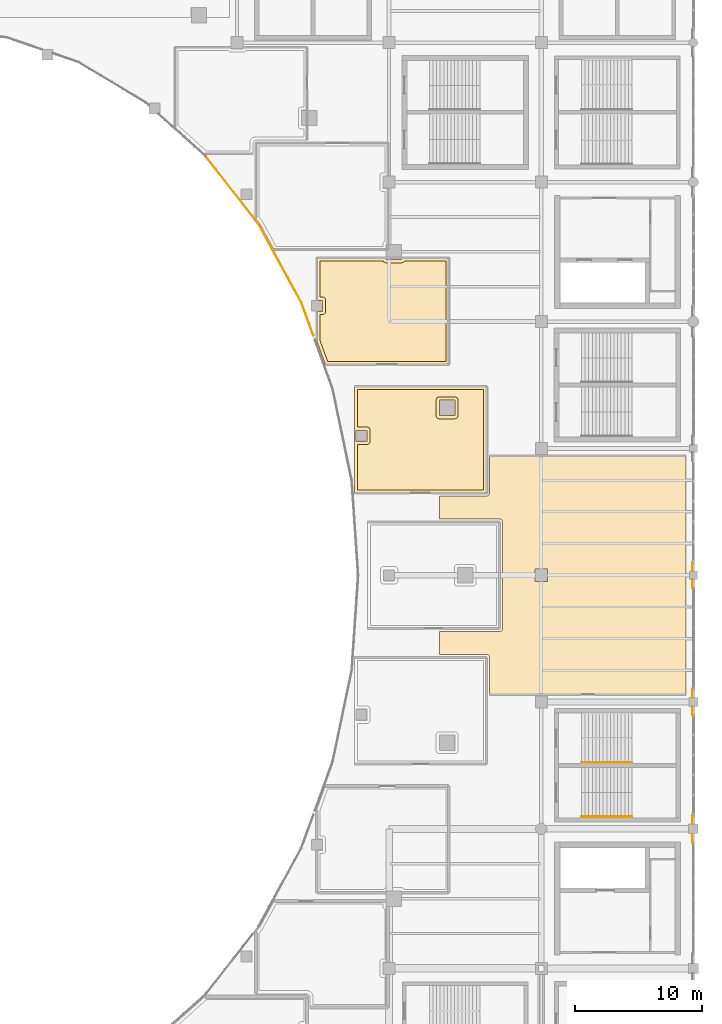
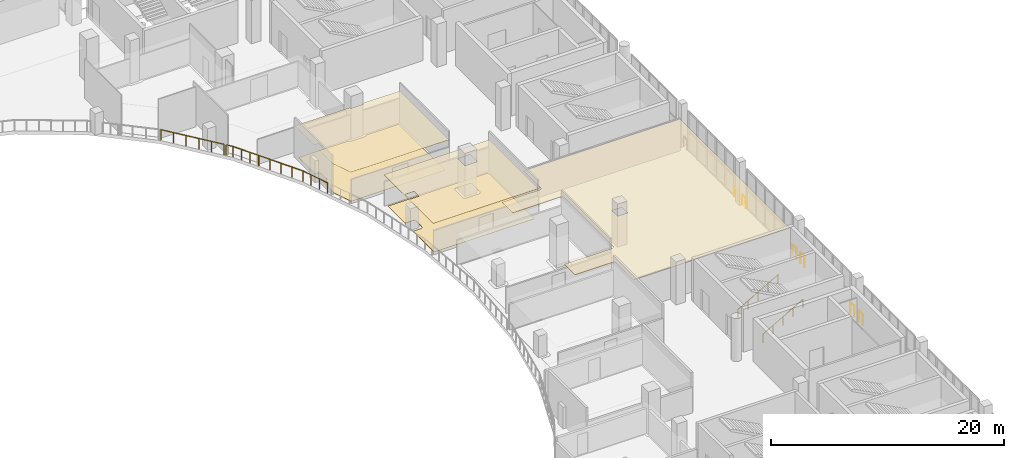
# One storey, part 88 of 90: 11 railings, 5 coverings.
"""IFC4 building model written with IfcOpenShell, lengths in metres."""

from ifc_helpers import new_model, si_unit, direction, frame, origin, origin_2d, place, context, subcontext, project, spatial, polyline, circle, outline, extrude, material, layer, layer_set, type_object, element, save


model = new_model("IFC4")

# Units and contexts
model_context = context("Model", 3, precision=1e-05, world=origin(), true_north=direction((0.0, 1.0)))
body_context = subcontext(model_context, "Body", "Model", "MODEL_VIEW")
ifc_project = project(units=[si_unit("LENGTHUNIT", "METRE"), si_unit("AREAUNIT", "SQUARE_METRE"), si_unit("VOLUMEUNIT", "CUBIC_METRE"), si_unit("PLANEANGLEUNIT", "RADIAN"), si_unit("MASSUNIT", "GRAM", prefix="KILO")], contexts=[model_context])

# Site, building, storey
site_placement = place(None, origin())
site = spatial("IfcSite", under=ifc_project, at=site_placement, CompositionType="ELEMENT")
building_placement = place(site_placement, origin())
building = spatial("IfcBuilding", under=site, at=building_placement, Name="Brinegate Civic Arena", CompositionType="ELEMENT")
storey_placement = place(building_placement, frame((0.0, 0.0, 14.699951171875)))
storey = spatial("IfcBuildingStorey", under=building, at=storey_placement, Name="L03", CompositionType="ELEMENT", Elevation=14.699951171875)

# Coverings
ifc_material_1 = material(Name="Acoustic perforated aluminium ceiling", Category="aluminium")
ifc_layer_1 = layer(ifc_material_1, 0.044921875, Name="Acoustic perforated aluminium ceiling")
ifc_layer_set_1 = layer_set([ifc_layer_1], Name="Acoustic perforated aluminium ceiling")
covering_type_1 = type_object("IfcCoveringType", Name="CEILING-BAFFLE-45", PredefinedType="CEILING", material=ifc_layer_set_1)
covering_1_placement = place(storey_placement, frame((0.0, 0.0, 3.215087890625)))
element("IfcCovering", 1, at=covering_1_placement, inside=storey, type_object=covering_type_1, Name="Acoustic Ceiling L03-106", PredefinedType="CEILING", context=body_context, shape_type="SweptSolid", body=[
    extrude(outline(polyline([(151.69189453125, 76.905029296875), (151.694091796875, 76.904052734375), (151.696044921875, 76.903076171875), (151.697021484375, 76.903076171875), (151.698974609375, 76.902099609375), (151.700927734375, 76.89990234375), (151.701904296875, 76.89892578125), (151.702880859375, 76.89794921875), (151.705078125, 76.89599609375), (151.7060546875, 76.89404296875), (151.7060546875, 76.89306640625), (151.70703125, 76.89111328125), (151.7080078125, 76.888916015625), (151.7080078125, 76.886962890625), (151.7080078125, 76.885009765625), (151.7080078125, 68.485107421875), (151.7080078125, 68.48291015625), (151.7080078125, 68.48095703125), (151.70703125, 68.47900390625), (151.7060546875, 68.47705078125), (151.7060546875, 68.47607421875), (151.705078125, 68.47412109375), (151.702880859375, 68.471923828125), (151.701904296875, 68.470947265625), (151.700927734375, 68.469970703125), (151.698974609375, 68.468017578125), (151.697021484375, 68.467041015625), (151.696044921875, 68.467041015625), (151.694091796875, 68.466064453125), (151.69189453125, 68.465087890625), (151.68994140625, 68.465087890625), (151.68798828125, 68.465087890625), (141.2880859375, 68.465087890625), (141.285888671875, 68.465087890625), (141.283935546875, 68.465087890625), (141.281982421875, 68.466064453125), (141.280029296875, 68.467041015625), (141.279052734375, 68.467041015625), (141.277099609375, 68.468017578125), (141.27490234375, 68.469970703125), (141.27392578125, 68.470947265625), (141.27294921875, 68.471923828125), (141.27099609375, 68.47412109375), (141.27001953125, 68.47607421875), (141.27001953125, 68.47705078125), (141.26904296875, 68.47900390625), (141.26806640625, 68.48095703125), (141.26806640625, 68.48291015625), (141.26806640625, 68.485107421875), (141.26806640625, 76.885009765625), (141.26806640625, 76.886962890625), (141.26806640625, 76.888916015625), (141.26904296875, 76.89111328125), (141.27001953125, 76.89306640625), (141.27001953125, 76.89404296875), (141.27099609375, 76.89599609375), (141.27294921875, 76.89794921875), (141.27392578125, 76.89892578125), (141.27490234375, 76.89990234375), (141.277099609375, 76.902099609375), (141.279052734375, 76.903076171875), (141.280029296875, 76.903076171875), (141.281982421875, 76.904052734375), (141.283935546875, 76.905029296875), (141.285888671875, 76.905029296875), (141.2880859375, 76.905029296875), (151.68798828125, 76.905029296875), (151.68994140625, 76.905029296875), (151.69189453125, 76.905029296875)]), holes=[polyline([(141.3720703125, 73.43505859375), (141.3720703125, 72.56494140625), (142.241943359375, 72.56494140625), (142.241943359375, 73.43505859375), (141.3720703125, 73.43505859375)]), polyline([(147.958984375, 75.81005859375), (147.958984375, 74.590087890625), (149.178955078125, 74.590087890625), (149.178955078125, 75.81005859375), (147.958984375, 75.81005859375)])]), origin(), (0.0, 0.0, 1.0), 0.044921875),
])
covering_2_placement = place(storey_placement, frame((0.0, 0.0, 3.215087890625)))
element("IfcCovering", 2, at=covering_2_placement, inside=storey, type_object=covering_type_1, Name="Acoustic Ceiling L03-008", PredefinedType="CEILING", context=body_context, shape_type="SweptSolid", body=[
    extrude(outline(polyline([(167.404052734375, 71.419921875), (167.406005859375, 71.4189453125), (167.407958984375, 71.41796875), (167.408935546875, 71.41796875), (167.410888671875, 71.4169921875), (167.4130859375, 71.4150390625), (167.4140625, 71.4140625), (167.4150390625, 71.4130859375), (167.4169921875, 71.410888671875), (167.41796875, 71.408935546875), (167.41796875, 71.407958984375), (167.4189453125, 71.406005859375), (167.419921875, 71.404052734375), (167.419921875, 71.402099609375), (167.419921875, 71.39990234375), (167.419921875, 52.60009765625), (167.419921875, 52.597900390625), (167.419921875, 52.595947265625), (167.4189453125, 52.593994140625), (167.41796875, 52.592041015625), (167.41796875, 52.591064453125), (167.4169921875, 52.589111328125), (167.4150390625, 52.5869140625), (167.4140625, 52.5859375), (167.4130859375, 52.5849609375), (167.410888671875, 52.5830078125), (167.408935546875, 52.58203125), (167.407958984375, 52.58203125), (167.406005859375, 52.5810546875), (167.404052734375, 52.580078125), (167.402099609375, 52.580078125), (167.39990234375, 52.580078125), (151.93798828125, 52.580078125), (151.93603515625, 52.580078125), (151.93408203125, 52.580078125), (151.931884765625, 52.5810546875), (151.929931640625, 52.58203125), (151.928955078125, 52.58203125), (151.927001953125, 52.5830078125), (151.925048828125, 52.5849609375), (151.924072265625, 52.5859375), (151.923095703125, 52.5869140625), (151.9208984375, 52.589111328125), (151.919921875, 52.591064453125), (151.919921875, 52.592041015625), (151.9189453125, 52.593994140625), (151.91796875, 52.595947265625), (151.91796875, 52.597900390625), (151.91796875, 52.60009765625), (151.91796875, 55.513916015625), (151.9130859375, 55.56005859375), (151.89990234375, 55.60400390625), (151.89111328125, 55.623046875), (151.864990234375, 55.660888671875), (151.833984375, 55.69189453125), (151.797119140625, 55.717041015625), (151.7548828125, 55.735107421875), (151.7109375, 55.743896484375), (151.68798828125, 55.7451171875), (148.0, 55.7451171875), (147.998046875, 55.7451171875), (147.99609375, 55.7451171875), (147.993896484375, 55.74609375), (147.991943359375, 55.7470703125), (147.990966796875, 55.7470703125), (147.989013671875, 55.748046875), (147.987060546875, 55.75), (147.986083984375, 55.7509765625), (147.985107421875, 55.751953125), (147.98291015625, 55.75390625), (147.98193359375, 55.756103515625), (147.98193359375, 55.757080078125), (147.98095703125, 55.759033203125), (147.97998046875, 55.760986328125), (147.97998046875, 55.762939453125), (147.97998046875, 55.764892578125), (147.97998046875, 57.550048828125), (147.97998046875, 57.552001953125), (147.97998046875, 57.553955078125), (147.98095703125, 57.555908203125), (147.98193359375, 57.55810546875), (147.98193359375, 57.55908203125), (147.98291015625, 57.56103515625), (147.985107421875, 57.56298828125), (147.986083984375, 57.56396484375), (147.987060546875, 57.56494140625), (147.989013671875, 57.56689453125), (147.990966796875, 57.568115234375), (147.991943359375, 57.568115234375), (147.993896484375, 57.569091796875), (147.99609375, 57.570068359375), (147.998046875, 57.570068359375), (148.0, 57.570068359375), (152.722900390625, 57.571044921875), (152.76708984375, 57.580078125), (152.80908203125, 57.597900390625), (152.845947265625, 57.623046875), (152.876953125, 57.654052734375), (152.903076171875, 57.69189453125), (152.912109375, 57.7109375), (152.925048828125, 57.7548828125), (152.929931640625, 57.801025390625), (152.929931640625, 66.198974609375), (152.925048828125, 66.2451171875), (152.912109375, 66.2890625), (152.903076171875, 66.30810546875), (152.876953125, 66.346923828125), (152.863037109375, 66.363037109375), (152.827880859375, 66.39111328125), (152.80908203125, 66.402099609375), (152.76708984375, 66.419921875), (152.722900390625, 66.428955078125), (152.699951171875, 66.429931640625), (148.0, 66.429931640625), (147.998046875, 66.429931640625), (147.99609375, 66.429931640625), (147.993896484375, 66.430908203125), (147.991943359375, 66.431884765625), (147.990966796875, 66.431884765625), (147.989013671875, 66.43310546875), (147.987060546875, 66.43505859375), (147.986083984375, 66.43603515625), (147.985107421875, 66.43701171875), (147.98291015625, 66.43896484375), (147.98193359375, 66.44091796875), (147.98193359375, 66.44189453125), (147.98095703125, 66.444091796875), (147.97998046875, 66.446044921875), (147.97998046875, 66.447998046875), (147.97998046875, 66.449951171875), (147.97998046875, 68.235107421875), (147.97998046875, 68.237060546875), (147.97998046875, 68.239013671875), (147.98095703125, 68.240966796875), (147.98193359375, 68.242919921875), (147.98193359375, 68.243896484375), (147.98291015625, 68.24609375), (147.985107421875, 68.248046875), (147.986083984375, 68.2490234375), (147.987060546875, 68.25), (147.989013671875, 68.251953125), (147.990966796875, 68.2529296875), (147.991943359375, 68.2529296875), (147.993896484375, 68.25390625), (147.99609375, 68.2548828125), (147.998046875, 68.2548828125), (148.0, 68.2548828125), (151.68701171875, 68.2548828125), (151.73291015625, 68.260009765625), (151.777099609375, 68.27294921875), (151.7958984375, 68.281982421875), (151.833984375, 68.30810546875), (151.864990234375, 68.339111328125), (151.89111328125, 68.376953125), (151.89990234375, 68.39599609375), (151.9130859375, 68.43994140625), (151.91796875, 68.486083984375), (151.91796875, 71.39990234375), (151.91796875, 71.402099609375), (151.91796875, 71.404052734375), (151.9189453125, 71.406005859375), (151.919921875, 71.407958984375), (151.919921875, 71.408935546875), (151.9208984375, 71.410888671875), (151.923095703125, 71.4130859375), (151.924072265625, 71.4140625), (151.925048828125, 71.4150390625), (151.927001953125, 71.4169921875), (151.928955078125, 71.41796875), (151.929931640625, 71.41796875), (151.931884765625, 71.4189453125), (151.93408203125, 71.419921875), (151.93603515625, 71.419921875), (151.93798828125, 71.419921875), (167.39990234375, 71.419921875), (167.402099609375, 71.419921875), (167.404052734375, 71.419921875)]), holes=[polyline([(155.514892578125, 62.485107421875), (155.514892578125, 61.514892578125), (156.485107421875, 61.514892578125), (156.485107421875, 62.485107421875), (155.514892578125, 62.485107421875)])]), origin(), (0.0, 0.0, 1.0), 0.044921875),
])
ifc_layer_2 = layer(ifc_material_1, 0.01806640625, Name="Acoustic perforated aluminium ceiling")
ifc_layer_set_2 = layer_set([ifc_layer_2], Name="Acoustic perforated aluminium ceiling")
covering_type_2 = type_object("IfcCoveringType", Name="CEILING-MOISTURE-18", PredefinedType="CEILING", material=ifc_layer_set_2)
covering_3_placement = place(storey_placement, frame((0.0, 0.0, 3.241943359375)))
element("IfcCovering", 3, at=covering_3_placement, inside=storey, type_object=covering_type_2, Name="Acoustic Ceiling L03-107", PredefinedType="CEILING", context=body_context, shape_type="SweptSolid", body=[
    extrude(outline(polyline([(148.7060546875, 87.04296875), (148.7080078125, 87.0419921875), (148.7099609375, 87.041015625), (148.7109375, 87.041015625), (148.712890625, 87.0400390625), (148.715087890625, 87.0380859375), (148.716064453125, 87.037109375), (148.717041015625, 87.035888671875), (148.718994140625, 87.033935546875), (148.719970703125, 87.031982421875), (148.719970703125, 87.031005859375), (148.720947265625, 87.029052734375), (148.721923828125, 87.027099609375), (148.721923828125, 87.02490234375), (148.721923828125, 87.02294921875), (148.721923828125, 78.623046875), (148.721923828125, 78.62109375), (148.721923828125, 78.618896484375), (148.720947265625, 78.616943359375), (148.719970703125, 78.614990234375), (148.719970703125, 78.614013671875), (148.718994140625, 78.612060546875), (148.717041015625, 78.610107421875), (148.716064453125, 78.60888671875), (148.715087890625, 78.60791015625), (148.712890625, 78.60595703125), (148.7109375, 78.60498046875), (148.7099609375, 78.60498046875), (148.7080078125, 78.60400390625), (148.7060546875, 78.60302734375), (148.7041015625, 78.60302734375), (148.701904296875, 78.60302734375), (138.9970703125, 78.60302734375), (138.9951171875, 78.60302734375), (138.992919921875, 78.60302734375), (138.990966796875, 78.60400390625), (138.989013671875, 78.60498046875), (138.987060546875, 78.60595703125), (138.986083984375, 78.60693359375), (138.98388671875, 78.60791015625), (138.98193359375, 78.60888671875), (138.98095703125, 78.611083984375), (138.97998046875, 78.613037109375), (138.97900390625, 78.614013671875), (138.97802734375, 78.615966796875), (138.282958984375, 80.528076171875), (138.282958984375, 80.530029296875), (138.281982421875, 80.531982421875), (138.281982421875, 80.532958984375), (138.281982421875, 80.534912109375), (138.281982421875, 82.81494140625), (138.74609375, 82.81494140625), (138.74609375, 83.68505859375), (138.281982421875, 83.68505859375), (138.281982421875, 87.02294921875), (138.281982421875, 87.02490234375), (138.281982421875, 87.027099609375), (138.282958984375, 87.029052734375), (138.283935546875, 87.031005859375), (138.283935546875, 87.031982421875), (138.284912109375, 87.033935546875), (138.287109375, 87.035888671875), (138.2880859375, 87.037109375), (138.2890625, 87.0380859375), (138.291015625, 87.0400390625), (138.29296875, 87.041015625), (138.2939453125, 87.041015625), (138.2958984375, 87.0419921875), (138.298095703125, 87.04296875), (138.300048828125, 87.04296875), (138.302001953125, 87.04296875), (143.762939453125, 87.04296875), (143.762939453125, 86.889892578125), (144.98291015625, 86.889892578125), (144.98291015625, 87.04296875), (148.701904296875, 87.04296875), (148.7041015625, 87.04296875), (148.7060546875, 87.04296875)])), origin(), (0.0, 0.0, 1.0), 0.01806640625),
])
ifc_material_2 = material(Name="Polished coral terrazzo flooring")
ifc_layer_3 = layer(ifc_material_2, 0.013916015625, Name="Polished coral terrazzo flooring")
ifc_layer_set_3 = layer_set([ifc_layer_3], Name="Polished coral terrazzo flooring")
covering_type_3 = type_object("IfcCoveringType", Name="FLOORING-ACOUSTIC-14", PredefinedType="FLOORING", material=ifc_layer_set_3)
covering_4_placement = place(storey_placement, origin())
element("IfcCovering", 4, at=covering_4_placement, inside=storey, type_object=covering_type_3, Name="Flooring L03-107", PredefinedType="FLOORING", context=body_context, shape_type="SweptSolid", body=[
    extrude(outline(polyline([(138.531982421875, 86.79296875), (143.532958984375, 86.79296875), (143.54296875, 86.77197265625), (143.554931640625, 86.7509765625), (143.570068359375, 86.73095703125), (143.5859375, 86.712890625), (143.60400390625, 86.697021484375), (143.6240234375, 86.681884765625), (143.64501953125, 86.669921875), (143.6669921875, 86.658935546875), (143.68994140625, 86.65087890625), (143.714111328125, 86.64501953125), (143.738037109375, 86.64111328125), (143.762939453125, 86.639892578125), (144.98291015625, 86.639892578125), (145.008056640625, 86.64111328125), (145.031982421875, 86.64501953125), (145.055908203125, 86.65087890625), (145.0791015625, 86.658935546875), (145.10107421875, 86.669921875), (145.1220703125, 86.681884765625), (145.14208984375, 86.697021484375), (145.159912109375, 86.712890625), (145.176025390625, 86.73095703125), (145.19091796875, 86.7509765625), (145.202880859375, 86.77197265625), (145.212890625, 86.79296875), (148.471923828125, 86.79296875), (148.471923828125, 78.85302734375), (139.157958984375, 78.85302734375), (138.531982421875, 80.575927734375), (138.531982421875, 82.56494140625), (138.74609375, 82.56494140625), (138.77099609375, 82.56591796875), (138.794921875, 82.570068359375), (138.819091796875, 82.575927734375), (138.842041015625, 82.583984375), (138.864013671875, 82.594970703125), (138.885009765625, 82.60693359375), (138.905029296875, 82.6220703125), (138.923095703125, 82.637939453125), (138.93896484375, 82.656005859375), (138.9541015625, 82.676025390625), (138.966064453125, 82.697021484375), (138.97705078125, 82.718994140625), (138.985107421875, 82.741943359375), (138.990966796875, 82.76611328125), (138.9951171875, 82.7900390625), (138.99609375, 82.81494140625), (138.99609375, 83.68505859375), (138.9951171875, 83.7099609375), (138.990966796875, 83.73388671875), (138.985107421875, 83.758056640625), (138.97705078125, 83.781005859375), (138.966064453125, 83.802978515625), (138.9541015625, 83.823974609375), (138.93896484375, 83.843994140625), (138.923095703125, 83.862060546875), (138.905029296875, 83.8779296875), (138.885009765625, 83.89306640625), (138.864013671875, 83.905029296875), (138.842041015625, 83.916015625), (138.819091796875, 83.924072265625), (138.794921875, 83.929931640625), (138.77099609375, 83.93408203125), (138.74609375, 83.93505859375), (138.531982421875, 83.93505859375), (138.531982421875, 86.79296875)])), origin(), (0.0, 0.0, 1.0), 0.01416015625),
])
ifc_layer_4 = layer(ifc_material_2, 0.028076171875, Name="Polished coral terrazzo flooring")
ifc_layer_set_4 = layer_set([ifc_layer_4], Name="Polished coral terrazzo flooring")
covering_type_4 = type_object("IfcCoveringType", Name="FLOORING-TERRAZZO-28", PredefinedType="FLOORING", material=ifc_layer_set_4)
covering_5_placement = place(storey_placement, origin())
element("IfcCovering", 5, at=covering_5_placement, inside=storey, type_object=covering_type_4, Name="Flooring L03-106", PredefinedType="FLOORING", context=body_context, shape_type="SweptSolid", body=[
    extrude(outline(polyline([(141.51806640625, 76.655029296875), (151.4580078125, 76.655029296875), (151.4580078125, 68.715087890625), (141.51806640625, 68.715087890625), (141.51806640625, 72.31494140625), (142.241943359375, 72.31494140625), (142.26708984375, 72.31591796875), (142.291015625, 72.320068359375), (142.31494140625, 72.325927734375), (142.337890625, 72.333984375), (142.360107421875, 72.344970703125), (142.381103515625, 72.35693359375), (142.40087890625, 72.3720703125), (142.4189453125, 72.387939453125), (142.43505859375, 72.406005859375), (142.449951171875, 72.426025390625), (142.4619140625, 72.447021484375), (142.472900390625, 72.468994140625), (142.48095703125, 72.491943359375), (142.487060546875, 72.51611328125), (142.490966796875, 72.5400390625), (142.491943359375, 72.56494140625), (142.491943359375, 73.43505859375), (142.490966796875, 73.4599609375), (142.487060546875, 73.48388671875), (142.48095703125, 73.508056640625), (142.472900390625, 73.531005859375), (142.4619140625, 73.552978515625), (142.449951171875, 73.573974609375), (142.43505859375, 73.593994140625), (142.4189453125, 73.612060546875), (142.40087890625, 73.6279296875), (142.381103515625, 73.64306640625), (142.360107421875, 73.655029296875), (142.337890625, 73.666015625), (142.31494140625, 73.674072265625), (142.291015625, 73.679931640625), (142.26708984375, 73.68408203125), (142.241943359375, 73.68505859375), (141.51806640625, 73.68505859375), (141.51806640625, 76.655029296875)]), holes=[polyline([(147.958984375, 76.06005859375), (147.93408203125, 76.05908203125), (147.909912109375, 76.054931640625), (147.885986328125, 76.049072265625), (147.863037109375, 76.041015625), (147.841064453125, 76.030029296875), (147.820068359375, 76.01806640625), (147.800048828125, 76.0029296875), (147.781982421875, 75.987060546875), (147.76611328125, 75.968994140625), (147.7509765625, 75.948974609375), (147.739013671875, 75.927978515625), (147.72802734375, 75.906005859375), (147.719970703125, 75.883056640625), (147.714111328125, 75.85888671875), (147.7099609375, 75.8349609375), (147.708984375, 75.81005859375), (147.708984375, 74.590087890625), (147.7099609375, 74.56494140625), (147.714111328125, 74.541015625), (147.719970703125, 74.51708984375), (147.72802734375, 74.493896484375), (147.739013671875, 74.471923828125), (147.7509765625, 74.450927734375), (147.76611328125, 74.430908203125), (147.781982421875, 74.4130859375), (147.800048828125, 74.39697265625), (147.820068359375, 74.382080078125), (147.841064453125, 74.3701171875), (147.863037109375, 74.35888671875), (147.885986328125, 74.35107421875), (147.909912109375, 74.344970703125), (147.93408203125, 74.341064453125), (147.958984375, 74.340087890625), (149.178955078125, 74.340087890625), (149.2041015625, 74.341064453125), (149.22802734375, 74.344970703125), (149.251953125, 74.35107421875), (149.27490234375, 74.35888671875), (149.297119140625, 74.3701171875), (149.318115234375, 74.382080078125), (149.337890625, 74.39697265625), (149.35595703125, 74.4130859375), (149.3720703125, 74.430908203125), (149.386962890625, 74.450927734375), (149.39892578125, 74.471923828125), (149.409912109375, 74.493896484375), (149.41796875, 74.51708984375), (149.424072265625, 74.541015625), (149.427978515625, 74.56494140625), (149.428955078125, 74.590087890625), (149.428955078125, 75.81005859375), (149.427978515625, 75.8349609375), (149.424072265625, 75.85888671875), (149.41796875, 75.883056640625), (149.409912109375, 75.906005859375), (149.39892578125, 75.927978515625), (149.386962890625, 75.948974609375), (149.3720703125, 75.968994140625), (149.35595703125, 75.987060546875), (149.337890625, 76.0029296875), (149.318115234375, 76.01806640625), (149.297119140625, 76.030029296875), (149.27490234375, 76.041015625), (149.251953125, 76.049072265625), (149.22802734375, 76.054931640625), (149.2041015625, 76.05908203125), (149.178955078125, 76.06005859375), (147.958984375, 76.06005859375)])]), origin(), (0.0, 0.0, 1.0), 0.028076171875),
])

# Railings
ifc_material_3 = material(Name="Architectural stainless steel balustrade", Category="steel")
railing_type_1 = type_object("IfcRailingType", Name="RAIL-STAIR-HANDRAIL-900", PredefinedType="HANDRAIL", material=ifc_material_3)
for number, where, name in (
    (6, (159.169921875, 42.955078125, 0.0), "Stair Pitch Handrail ST-10A L03"),
    (7, (159.169921875, 47.22509765625, 0.0), "Stair Pitch Handrail ST-10B L03"),
):
    element("IfcRailing", number, at=place(storey_placement, frame(where)), inside=storey, type_object=railing_type_1, Name=name, PredefinedType="HANDRAIL", context=body_context, shape_type="SweptSolid", body=[
        extrude(circle(Radius=0.02392578125, at=origin_2d()), frame((0.001220703125, 0.0, 0.876708984375), z_axis=(0.871049806155, 0.0, 0.491194701923), x_axis=(0.0, 1.0, 0.0)), (0.0, 0.0, 1.0), 4.57763671875),
        extrude(circle(Radius=0.02099609375, at=origin_2d()), origin(), (0.0, 0.0, 1.0), 0.849853515625),
        extrude(circle(Radius=0.02099609375, at=origin_2d()), frame((0.99755859375, 0.0, 0.5625)), (0.0, 0.0, 1.0), 0.849853515625),
        extrude(circle(Radius=0.02099609375, at=origin_2d()), frame((1.9951171875, 0.0, 1.125)), (0.0, 0.0, 1.0), 0.849853515625),
        extrude(circle(Radius=0.02099609375, at=origin_2d()), frame((2.992431640625, 0.0, 1.6875)), (0.0, 0.0, 1.0), 0.849853515625),
        extrude(circle(Radius=0.02099609375, at=origin_2d()), frame((3.989990234375, 0.0, 2.25)), (0.0, 0.0, 1.0), 0.849853515625),
    ])
railing_type_2 = type_object("IfcRailingType", Name="RAIL-VOID-BALUSTRADE-1120", PredefinedType="BALUSTRADE", material=ifc_material_3)
for number, where, name in (
    (8, (167.929931640625, 63.010009765625, 0.0), "Deck Edge Balustrade L03-262"),
    (9, (167.929931640625, 61.655029296875, 0.0), "Deck Edge Balustrade L03-263"),
):
    element("IfcRailing", number, at=place(storey_placement, frame(where)), inside=storey, type_object=railing_type_2, Name=name, PredefinedType="BALUSTRADE", context=body_context, shape_type="SweptSolid", body=[
        extrude(circle(Radius=0.02392578125, at=origin_2d()), frame((0.0, -0.00146484375, 1.09619140625), z_axis=(0.0, -1.0, 0.0), x_axis=(1.0, 0.0, 0.0)), (0.0, 0.0, 1.0), 0.662109375),
        extrude(circle(Radius=0.02099609375, at=origin_2d()), origin(), (0.0, 0.0, 1.0), 1.070068359375),
        extrude(circle(Radius=0.02099609375, at=origin_2d()), frame((0.0, -0.6650390625, 0.0)), (0.0, 0.0, 1.0), 1.070068359375),
    ])
for number, where, name in (
    (10, (167.929931640625, 53.044921875, 0.0), "Deck Edge Balustrade L03-264"),
    (11, (167.929931640625, 51.6298828125, 0.0), "Deck Edge Balustrade L03-265"),
):
    element("IfcRailing", number, at=place(storey_placement, frame(where)), inside=storey, type_object=railing_type_2, Name=name, PredefinedType="BALUSTRADE", context=body_context, shape_type="SweptSolid", body=[
        extrude(circle(Radius=0.02392578125, at=origin_2d()), frame((0.0, -0.00146484375, 1.09619140625), z_axis=(0.0, -1.0, 0.0), x_axis=(1.0, 0.0, 0.0)), (0.0, 0.0, 1.0), 0.671875),
        extrude(circle(Radius=0.02099609375, at=origin_2d()), origin(), (0.0, 0.0, 1.0), 1.070068359375),
        extrude(circle(Radius=0.02099609375, at=origin_2d()), frame((0.0, -0.6748046875, 0.0)), (0.0, 0.0, 1.0), 1.070068359375),
    ])
for number, where, name in (
    (12, (167.929931640625, 43.080078125, 0.0), "Deck Edge Balustrade L03-266"),
    (13, (167.929931640625, 41.60498046875, 0.0), "Deck Edge Balustrade L03-267"),
):
    element("IfcRailing", number, at=place(storey_placement, frame(where)), inside=storey, type_object=railing_type_2, Name=name, PredefinedType="BALUSTRADE", context=body_context, shape_type="SweptSolid", body=[
        extrude(circle(Radius=0.02392578125, at=origin_2d()), frame((0.0, -0.00146484375, 1.09619140625), z_axis=(0.0, -1.0, 0.0), x_axis=(1.0, 0.0, 0.0)), (0.0, 0.0, 1.0), 0.68212890625),
        extrude(circle(Radius=0.02099609375, at=origin_2d()), origin(), (0.0, 0.0, 1.0), 1.070068359375),
        extrude(circle(Radius=0.02099609375, at=origin_2d()), frame((0.0, -0.68505859375, 0.0)), (0.0, 0.0, 1.0), 1.070068359375),
    ])
railing_1_placement = place(storey_placement, frame((138.02197265625, 80.925048828125, 0.0)))
element("IfcRailing", 14, at=railing_1_placement, inside=storey, type_object=railing_type_2, Name="Deck Edge Balustrade L03-303", PredefinedType="BALUSTRADE", context=body_context, shape_type="SweptSolid", body=[
    extrude(circle(Radius=0.02392578125, at=origin_2d()), frame((-0.00048828125, 0.00146484375, 1.09619140625), z_axis=(-0.341438200505, 0.939904226629, 0.0), x_axis=(-0.939904226629, -0.341438200505, 0.0)), (0.0, 0.0, 1.0), 2.761962890625),
    extrude(circle(Radius=0.02392578125, at=origin_2d()), frame((-0.94482421875, 2.60009765625, 1.09619140625), z_axis=(-0.478763316176, 0.877944011361, 0.0), x_axis=(-0.877944011361, -0.478763316176, 0.0)), (0.0, 0.0, 1.0), 4.4267578125),
    extrude(circle(Radius=0.02099609375, at=origin_2d()), origin(), (0.0, 0.0, 1.0), 1.070068359375),
    extrude(circle(Radius=0.02099609375, at=origin_2d()), frame((-0.314697265625, 0.8662109375, 0.0)), (0.0, 0.0, 1.0), 1.070068359375),
    extrude(circle(Radius=0.02099609375, at=origin_2d()), frame((-0.62939453125, 1.732666015625, 0.0)), (0.0, 0.0, 1.0), 1.070068359375),
    extrude(circle(Radius=0.02099609375, at=origin_2d()), frame((-0.944091796875, 2.598876953125, 0.0)), (0.0, 0.0, 1.0), 1.070068359375),
    extrude(circle(Radius=0.02099609375, at=origin_2d()), frame((-1.474365234375, 3.5712890625, 0.0)), (0.0, 0.0, 1.0), 1.070068359375),
    extrude(circle(Radius=0.02099609375, at=origin_2d()), frame((-2.00439453125, 4.54345703125, 0.0)), (0.0, 0.0, 1.0), 1.070068359375),
    extrude(circle(Radius=0.02099609375, at=origin_2d()), frame((-2.53466796875, 5.515625, 0.0)), (0.0, 0.0, 1.0), 1.070068359375),
    extrude(circle(Radius=0.02099609375, at=origin_2d()), frame((-3.06494140625, 6.488037109375, 0.0)), (0.0, 0.0, 1.0), 1.070068359375),
])
railing_2_placement = place(storey_placement, frame((134.951904296875, 87.422119140625, 0.0)))
element("IfcRailing", 15, at=railing_2_placement, inside=storey, type_object=railing_type_2, Name="Deck Edge Balustrade L03-304", PredefinedType="BALUSTRADE", context=body_context, shape_type="SweptSolid", body=[
    extrude(circle(Radius=0.02392578125, at=origin_2d()), frame((-0.000732421875, 0.001220703125, 1.09619140625), z_axis=(-0.47905214306, 0.877786445686, 0.0), x_axis=(-0.877786445686, -0.47905214306, 0.0)), (0.0, 0.0, 1.0), 2.5625),
    extrude(circle(Radius=0.02392578125, at=origin_2d()), frame((-1.22998046875, 2.253173828125, 1.09619140625), z_axis=(-0.613648680801, 0.789579189538, 0.0), x_axis=(-0.789579189538, -0.613648680801, 0.0)), (0.0, 0.0, 1.0), 0.634033203125),
    extrude(circle(Radius=0.02099609375, at=origin_2d()), origin(), (0.0, 0.0, 1.0), 1.070068359375),
    extrude(circle(Radius=0.02099609375, at=origin_2d()), frame((-0.40966796875, 0.750732421875, 0.0)), (0.0, 0.0, 1.0), 1.070068359375),
    extrude(circle(Radius=0.02099609375, at=origin_2d()), frame((-0.8193359375, 1.501220703125, 0.0)), (0.0, 0.0, 1.0), 1.070068359375),
    extrude(circle(Radius=0.02099609375, at=origin_2d()), frame((-1.22900390625, 2.251953125, 0.0)), (0.0, 0.0, 1.0), 1.070068359375),
    extrude(circle(Radius=0.02099609375, at=origin_2d()), frame((-1.619873046875, 2.7548828125, 0.0)), (0.0, 0.0, 1.0), 1.070068359375),
])
railing_3_placement = place(storey_placement, frame((133.217041015625, 90.324951171875, 0.0)))
element("IfcRailing", 16, at=railing_3_placement, inside=storey, type_object=railing_type_2, Name="Deck Edge Balustrade L03-305", PredefinedType="BALUSTRADE", context=body_context, shape_type="SweptSolid", body=[
    extrude(circle(Radius=0.02392578125, at=origin_2d()), frame((-0.0009765625, 0.001220703125, 1.09619140625), z_axis=(-0.614580272667, 0.788854288477, 0.0), x_axis=(-0.788854288477, -0.614580272667, 0.0)), (0.0, 0.0, 1.0), 5.861083984375),
    extrude(circle(Radius=0.02099609375, at=origin_2d()), origin(), (0.0, 0.0, 1.0), 1.070068359375),
    extrude(circle(Radius=0.02099609375, at=origin_2d()), frame((-0.720703125, 0.92529296875, 0.0)), (0.0, 0.0, 1.0), 1.070068359375),
    extrude(circle(Radius=0.02099609375, at=origin_2d()), frame((-1.441650390625, 1.850341796875, 0.0)), (0.0, 0.0, 1.0), 1.070068359375),
    extrude(circle(Radius=0.02099609375, at=origin_2d()), frame((-2.162353515625, 2.775634765625, 0.0)), (0.0, 0.0, 1.0), 1.070068359375),
    extrude(circle(Radius=0.02099609375, at=origin_2d()), frame((-2.88330078125, 3.70068359375, 0.0)), (0.0, 0.0, 1.0), 1.070068359375),
    extrude(circle(Radius=0.02099609375, at=origin_2d()), frame((-3.60400390625, 4.6259765625, 0.0)), (0.0, 0.0, 1.0), 1.070068359375),
])

save(model, "model.ifc")
